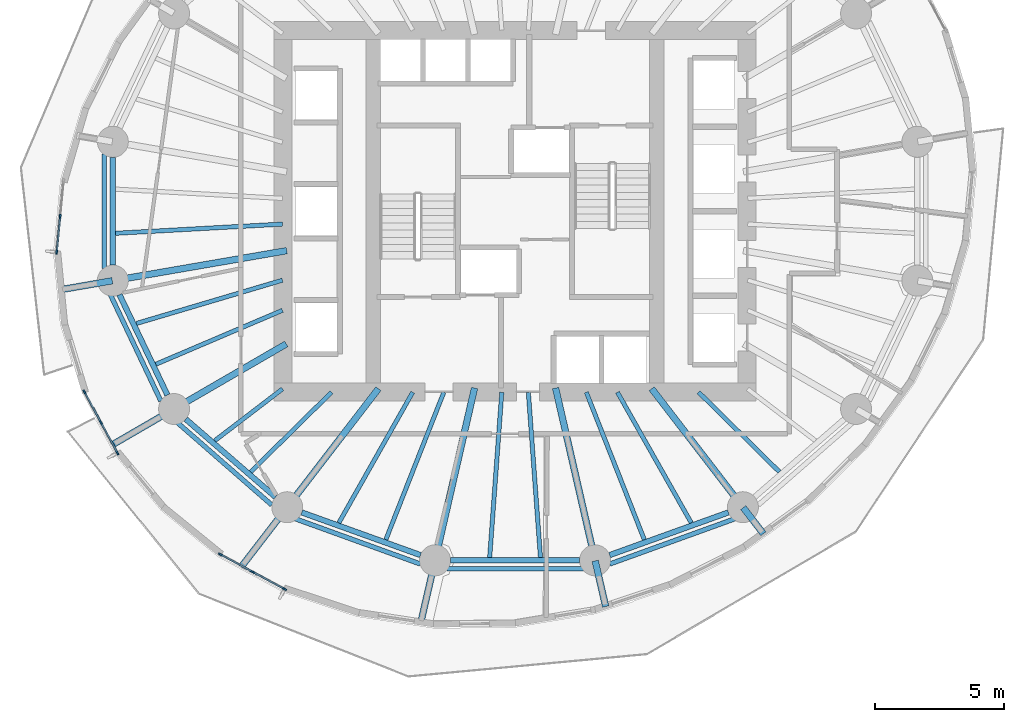
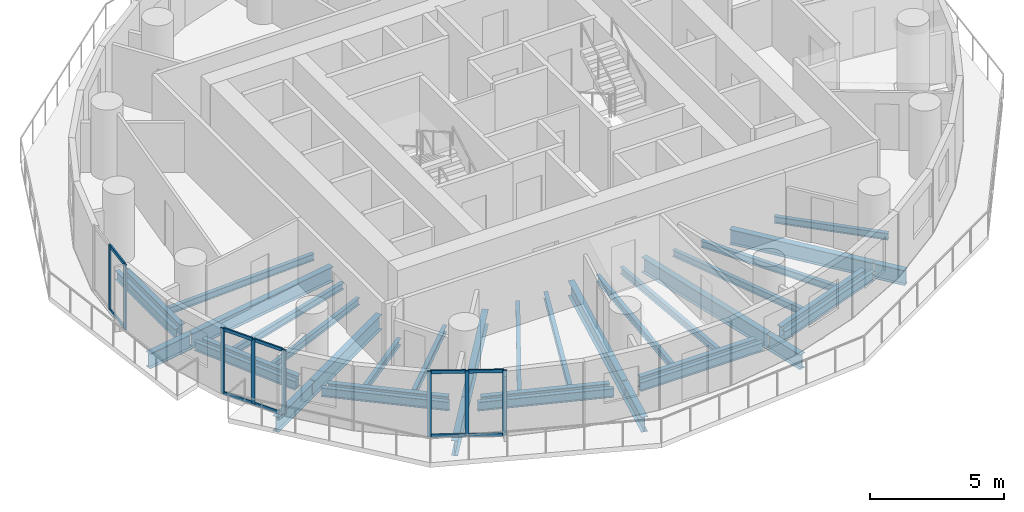
# One storey, part 2 of 14: 36 beams, 18 members, 3 elements without a shape of their own.
"""IFC4 building model written with IfcOpenShell, lengths in metres."""

from ifc_helpers import new_model, si_unit, direction, frame, origin, origin_2d, place, context, subcontext, project, spatial, rectangle, i_section, extrude, material, material_profile, profile_set, type_object, element, aggregate, save


model = new_model("IFC4")

# Units and contexts
model_context = context("Model", 3, precision=1e-05, world=origin(), true_north=direction((0.0, 1.0)))
body_context = subcontext(model_context, "Body", "Model", "MODEL_VIEW")
ifc_project = project(units=[si_unit("LENGTHUNIT", "METRE"), si_unit("AREAUNIT", "SQUARE_METRE"), si_unit("VOLUMEUNIT", "CUBIC_METRE"), si_unit("PLANEANGLEUNIT", "RADIAN"), si_unit("MASSUNIT", "GRAM", prefix="KILO")], contexts=[model_context])

# Site, building, storey
site_placement = place(None, origin())
site = spatial("IfcSite", under=ifc_project, at=site_placement, CompositionType="ELEMENT")
building_placement = place(site_placement, origin())
building = spatial("IfcBuilding", under=site, at=building_placement, Name="Veldorim Arch Residences", CompositionType="ELEMENT")
storey_placement = place(building_placement, frame((0.0, 0.0, 96.47998046875)))
storey = spatial("IfcBuildingStorey", under=building, at=storey_placement, Name="L28", CompositionType="ELEMENT", Elevation=96.47998046875)

# Beams
ifc_material_1 = material(Name="Steel S355", Category="steel")
ifc_material_profile_1 = material_profile(ifc_material_1, i_section(OverallWidth=0.2119140625, OverallDepth=0.54443359375, WebThickness=0.0126953125, FlangeThickness=0.021240234375, at=origin_2d()), Name="UB533x210x122")
ifc_profile_set_1 = profile_set([ifc_material_profile_1], Name="Steel S355")
beam_type_1 = type_object("IfcBeamType", Name="Structural Steel Beam UB533x210x122", PredefinedType="BEAM", material=ifc_profile_set_1)
beam_1_placement = place(storey_placement, frame((16.405517578125, 26.09228515625, -0.51220703125), z_axis=(0.0, -1.0, 0.0), x_axis=(1.0, 0.0, 0.0)))
element("IfcBeam", 1, at=beam_1_placement, inside=storey, type_object=beam_type_1, Name="L28 perimeter ring tie beam 08", PredefinedType="BEAM", context=body_context, shape_type="SweptSolid", body=[
    extrude(i_section(OverallWidth=0.2119140625, OverallDepth=0.54443359375, WebThickness=0.0126953125, FlangeThickness=0.021240234375, at=origin_2d()), origin(), (0.0, 0.0, 1.0), 4.1845703125),
])
beam_2_placement = place(storey_placement, frame((16.663818359375, 20.766357421875, -0.51220703125), z_axis=(0.430720154476, -0.902485539235, 0.0), x_axis=(0.902485539235, 0.430720154476, 0.0)))
element("IfcBeam", 2, at=beam_2_placement, inside=storey, type_object=beam_type_1, Name="L28 perimeter ring tie beam 09", PredefinedType="BEAM", context=body_context, shape_type="SweptSolid", body=[
    extrude(i_section(OverallWidth=0.2119140625, OverallDepth=0.54443359375, WebThickness=0.0126953125, FlangeThickness=0.021240234375, at=origin_2d()), origin(), (0.0, 0.0, 1.0), 4.312255859375),
])
beam_3_placement = place(storey_placement, frame((19.232666015625, 15.939697265625, -0.51220703125), z_axis=(0.755244952556, -0.655442645576, 0.0), x_axis=(0.655442645576, 0.755244952556, 0.0)))
element("IfcBeam", 3, at=beam_3_placement, inside=storey, type_object=beam_type_1, Name="L28 perimeter ring tie beam 10", PredefinedType="BEAM", context=body_context, shape_type="SweptSolid", body=[
    extrude(i_section(OverallWidth=0.2119140625, OverallDepth=0.54443359375, WebThickness=0.0126953125, FlangeThickness=0.021240234375, at=origin_2d()), origin(), (0.0, 0.0, 1.0), 4.608642578125),
])
beam_4_placement = place(storey_placement, frame((23.73095703125, 12.32275390625, -0.51220703125), z_axis=(0.941041944493, -0.338289903343, 0.0), x_axis=(0.338289903343, 0.941041944493, 0.0)))
element("IfcBeam", 4, at=beam_4_placement, inside=storey, type_object=beam_type_1, Name="L28 perimeter ring tie beam 11", PredefinedType="BEAM", context=body_context, shape_type="SweptSolid", body=[
    extrude(i_section(OverallWidth=0.2119140625, OverallDepth=0.54443359375, WebThickness=0.0126953125, FlangeThickness=0.021240234375, at=origin_2d()), origin(), (0.0, 0.0, 1.0), 4.890869140625),
])
beam_5_placement = place(storey_placement, frame((29.498046875, 10.465087890625, -0.51220703125), z_axis=(1.0, 0.0, 0.0), x_axis=(0.0, 1.0, 0.0)))
element("IfcBeam", 5, at=beam_5_placement, inside=storey, type_object=beam_type_1, Name="L28 perimeter ring tie beam 12", PredefinedType="BEAM", context=body_context, shape_type="SweptSolid", body=[
    extrude(i_section(OverallWidth=0.2119140625, OverallDepth=0.54443359375, WebThickness=0.0126953125, FlangeThickness=0.021240234375, at=origin_2d()), origin(), (0.0, 0.0, 1.0), 5.00390625),
])
beam_6_placement = place(storey_placement, frame((35.66650390625, 10.668212890625, -0.51220703125), z_axis=(0.941041944493, 0.338289903343, 0.0), x_axis=(-0.338289903343, 0.941041944493, 0.0)))
element("IfcBeam", 6, at=beam_6_placement, inside=storey, type_object=beam_type_1, Name="L28 perimeter ring tie beam 13", PredefinedType="BEAM", context=body_context, shape_type="SweptSolid", body=[
    extrude(i_section(OverallWidth=0.2119140625, OverallDepth=0.54443359375, WebThickness=0.0126953125, FlangeThickness=0.021240234375, at=origin_2d()), origin(), (0.0, 0.0, 1.0), 4.890869140625),
])
ifc_material_2 = material(Name="Steel S355", Category="steel")
ifc_material_profile_2 = material_profile(ifc_material_2, i_section(OverallWidth=0.25439453125, OverallDepth=0.6875, WebThickness=0.01318359375, FlangeThickness=0.02099609375, at=origin_2d()), Name="UB686x254x152")
ifc_profile_set_2 = profile_set([ifc_material_profile_2], Name="Steel S355")
beam_type_2 = type_object("IfcBeamType", Name="Structural Steel GIRDER UB686x254x152", PredefinedType="USERDEFINED", material=ifc_profile_set_2)
beam_7_placement = place(storey_placement, frame((23.147705078125, 22.4716796875, -0.583740234375), z_axis=(-0.985426622718, -0.17010106184, 0.0), x_axis=(0.17010106184, -0.985426622718, 0.0)))
element("IfcBeam", 7, at=beam_7_placement, inside=storey, type_object=beam_type_2, Name="L28 radial floor girder 09", ObjectType="GIRDER", PredefinedType="USERDEFINED", context=body_context, shape_type="SweptSolid", body=[
    extrude(i_section(OverallWidth=0.25439453125, OverallDepth=0.6875, WebThickness=0.01318359375, FlangeThickness=0.02099609375, at=origin_2d()), origin(), (0.0, 0.0, 1.0), 6.82177734375),
])
beam_8_placement = place(storey_placement, frame((16.3857421875, 21.304443359375, -0.583740234375), z_axis=(-0.985413092061, -0.170179428821, 0.0), x_axis=(0.170179428821, -0.985413092061, 0.0)))
element("IfcBeam", 8, at=beam_8_placement, inside=storey, type_object=beam_type_2, Name="L28 radial edge cantilever girder 09", ObjectType="GIRDER", PredefinedType="USERDEFINED", context=body_context, shape_type="SweptSolid", body=[
    extrude(i_section(OverallWidth=0.25439453125, OverallDepth=0.6875, WebThickness=0.01318359375, FlangeThickness=0.02099609375, at=origin_2d()), origin(), (0.0, 0.0, 1.0), 2.0400390625),
])
beam_9_placement = place(storey_placement, frame((23.1298828125, 18.85595703125, -0.583740234375), z_axis=(-0.865048957682, -0.501687453314, 0.0), x_axis=(0.501687453314, -0.865048957682, 0.0)))
element("IfcBeam", 9, at=beam_9_placement, inside=storey, type_object=beam_type_2, Name="L28 radial floor girder 10", ObjectType="GIRDER", PredefinedType="USERDEFINED", context=body_context, shape_type="SweptSolid", body=[
    extrude(i_section(OverallWidth=0.25439453125, OverallDepth=0.6875, WebThickness=0.01318359375, FlangeThickness=0.02099609375, at=origin_2d()), origin(), (0.0, 0.0, 1.0), 5.009033203125),
])
beam_10_placement = place(storey_placement, frame((18.76220703125, 16.322998046875, -0.583740234375), z_axis=(-0.865074923998, -0.50164267748, 0.0), x_axis=(0.50164267748, -0.865074923998, 0.0)))
element("IfcBeam", 10, at=beam_10_placement, inside=storey, type_object=beam_type_2, Name="L28 radial edge cantilever girder 10", ObjectType="GIRDER", PredefinedType="USERDEFINED", context=body_context, shape_type="SweptSolid", body=[
    extrude(i_section(OverallWidth=0.25439453125, OverallDepth=0.6875, WebThickness=0.01318359375, FlangeThickness=0.02099609375, at=origin_2d()), origin(), (0.0, 0.0, 1.0), 2.713134765625),
])
beam_11_placement = place(storey_placement, frame((26.702392578125, 17.118896484375, -0.583740234375), z_axis=(-0.609994628196, -0.792405548676, 0.0), x_axis=(0.792405548676, -0.609994628196, 0.0)))
element("IfcBeam", 11, at=beam_11_placement, inside=storey, type_object=beam_type_2, Name="L28 radial floor girder 11", ObjectType="GIRDER", PredefinedType="USERDEFINED", context=body_context, shape_type="SweptSolid", body=[
    extrude(i_section(OverallWidth=0.25439453125, OverallDepth=0.6875, WebThickness=0.01318359375, FlangeThickness=0.02099609375, at=origin_2d()), origin(), (0.0, 0.0, 1.0), 5.776611328125),
])
beam_12_placement = place(storey_placement, frame((23.154296875, 12.510009765625, -0.583740234375), z_axis=(-0.610012928727, -0.792391460571, 0.0), x_axis=(0.792391460571, -0.610012928727, 0.0)))
element("IfcBeam", 12, at=beam_12_placement, inside=storey, type_object=beam_type_2, Name="L28 radial edge cantilever girder 11", ObjectType="GIRDER", PredefinedType="USERDEFINED", context=body_context, shape_type="SweptSolid", body=[
    extrude(i_section(OverallWidth=0.25439453125, OverallDepth=0.6875, WebThickness=0.01318359375, FlangeThickness=0.02099609375, at=origin_2d()), origin(), (0.0, 0.0, 1.0), 2.85009765625),
])
beam_13_placement = place(storey_placement, frame((30.42919921875, 17.146240234375, -0.583740234375), z_axis=(-0.223374742148, -0.97473264261, 0.0), x_axis=(0.97473264261, -0.223374742148, 0.0)))
element("IfcBeam", 13, at=beam_13_placement, inside=storey, type_object=beam_type_2, Name="L28 radial floor girder 12", ObjectType="GIRDER", PredefinedType="USERDEFINED", context=body_context, shape_type="SweptSolid", body=[
    extrude(i_section(OverallWidth=0.25439453125, OverallDepth=0.6875, WebThickness=0.01318359375, FlangeThickness=0.02099609375, at=origin_2d()), origin(), (0.0, 0.0, 1.0), 6.834228515625),
])
beam_14_placement = place(storey_placement, frame((28.8935546875, 10.44580078125, -0.583740234375), z_axis=(-0.223409552983, -0.974724664526, 0.0), x_axis=(0.974724664526, -0.223409552983, 0.0)))
element("IfcBeam", 14, at=beam_14_placement, inside=storey, type_object=beam_type_2, Name="L28 radial edge cantilever girder 12", ObjectType="GIRDER", PredefinedType="USERDEFINED", context=body_context, shape_type="SweptSolid", body=[
    extrude(i_section(OverallWidth=0.25439453125, OverallDepth=0.6875, WebThickness=0.01318359375, FlangeThickness=0.02099609375, at=origin_2d()), origin(), (0.0, 0.0, 1.0), 2.4599609375),
])
beam_15_placement = place(storey_placement, frame((33.57080078125, 17.146240234375, -0.583740234375), z_axis=(0.223374742148, -0.97473264261, 0.0), x_axis=(0.97473264261, 0.223374742148, 0.0)))
element("IfcBeam", 15, at=beam_15_placement, inside=storey, type_object=beam_type_2, Name="L28 radial floor girder 13", ObjectType="GIRDER", PredefinedType="USERDEFINED", context=body_context, shape_type="SweptSolid", body=[
    extrude(i_section(OverallWidth=0.25439453125, OverallDepth=0.6875, WebThickness=0.01318359375, FlangeThickness=0.02099609375, at=origin_2d()), origin(), (0.0, 0.0, 1.0), 6.834228515625),
])
beam_16_placement = place(storey_placement, frame((35.1064453125, 10.44580078125, -0.583740234375), z_axis=(0.223360224224, -0.974735969499, 0.0), x_axis=(0.974735969499, 0.223360224224, 0.0)))
element("IfcBeam", 16, at=beam_16_placement, inside=storey, type_object=beam_type_2, Name="L28 radial edge cantilever girder 13", ObjectType="GIRDER", PredefinedType="USERDEFINED", context=body_context, shape_type="SweptSolid", body=[
    extrude(i_section(OverallWidth=0.25439453125, OverallDepth=0.6875, WebThickness=0.01318359375, FlangeThickness=0.02099609375, at=origin_2d()), origin(), (0.0, 0.0, 1.0), 1.81982421875),
])
beam_17_placement = place(storey_placement, frame((37.297607421875, 17.118896484375, -0.583740234375), z_axis=(0.609994628196, -0.792405548676, 0.0), x_axis=(0.792405548676, 0.609994628196, 0.0)))
element("IfcBeam", 17, at=beam_17_placement, inside=storey, type_object=beam_type_2, Name="L28 radial floor girder 14", ObjectType="GIRDER", PredefinedType="USERDEFINED", context=body_context, shape_type="SweptSolid", body=[
    extrude(i_section(OverallWidth=0.25439453125, OverallDepth=0.6875, WebThickness=0.01318359375, FlangeThickness=0.02099609375, at=origin_2d()), origin(), (0.0, 0.0, 1.0), 5.776611328125),
])
beam_18_placement = place(storey_placement, frame((40.845703125, 12.510009765625, -0.583740234375), z_axis=(0.609941382305, -0.79244653457, 0.0), x_axis=(0.79244653457, 0.609941382305, 0.0)))
element("IfcBeam", 18, at=beam_18_placement, inside=storey, type_object=beam_type_2, Name="L28 radial edge cantilever girder 14", ObjectType="GIRDER", PredefinedType="USERDEFINED", context=body_context, shape_type="SweptSolid", body=[
    extrude(i_section(OverallWidth=0.25439453125, OverallDepth=0.6875, WebThickness=0.01318359375, FlangeThickness=0.02099609375, at=origin_2d()), origin(), (0.0, 0.0, 1.0), 1.27880859375),
])
ifc_material_3 = material(Name="Steel S355", Category="steel")
ifc_material_profile_3 = material_profile(ifc_material_3, i_section(OverallWidth=0.165771484375, OverallDepth=0.306640625, WebThickness=0.006591796875, FlangeThickness=0.01171875, at=origin_2d()), Name="UB305x165x46")
ifc_profile_set_3 = profile_set([ifc_material_profile_3], Name="Steel S355")
beam_type_3 = type_object("IfcBeamType", Name="Structural Steel Joist UB305x165x46", PredefinedType="JOIST", material=ifc_profile_set_3)
beam_19_placement = place(storey_placement, frame((22.97998046875, 23.501708984375, -0.393310546875), z_axis=(-0.99847713097, -0.055167190702, 0.0), x_axis=(0.055167190702, -0.99847713097, 0.0)))
element("IfcBeam", 19, at=beam_19_placement, inside=storey, type_object=beam_type_3, Name="L28 secondary radial floor joist 08-2", PredefinedType="JOIST", context=body_context, shape_type="SweptSolid", body=[
    extrude(i_section(OverallWidth=0.165771484375, OverallDepth=0.306640625, WebThickness=0.006591796875, FlangeThickness=0.01171875, at=origin_2d()), origin(), (0.0, 0.0, 1.0), 6.474365234375),
])
beam_20_placement = place(storey_placement, frame((22.980712890625, 21.326416015625, -0.393310546875), z_axis=(-0.958753061488, -0.284240333324, 0.0), x_axis=(0.284240333324, -0.958753061488, 0.0)))
element("IfcBeam", 20, at=beam_20_placement, inside=storey, type_object=beam_type_3, Name="L28 secondary radial floor joist 09-1", PredefinedType="JOIST", context=body_context, shape_type="SweptSolid", body=[
    extrude(i_section(OverallWidth=0.165771484375, OverallDepth=0.306640625, WebThickness=0.006591796875, FlangeThickness=0.01171875, at=origin_2d()), origin(), (0.0, 0.0, 1.0), 5.906005859375),
])
beam_21_placement = place(storey_placement, frame((22.981689453125, 20.158447265625, -0.393310546875), z_axis=(-0.919997395122, -0.391924473552, 0.0), x_axis=(0.391924473552, -0.919997395122, 0.0)))
element("IfcBeam", 21, at=beam_21_placement, inside=storey, type_object=beam_type_3, Name="L28 secondary radial floor joist 09-2", PredefinedType="JOIST", context=body_context, shape_type="SweptSolid", body=[
    extrude(i_section(OverallWidth=0.165771484375, OverallDepth=0.306640625, WebThickness=0.006591796875, FlangeThickness=0.01171875, at=origin_2d()), origin(), (0.0, 0.0, 1.0), 5.334716796875),
])
beam_22_placement = place(storey_placement, frame((22.984130859375, 17.111572265625, -0.393310546875), z_axis=(-0.794594763594, -0.60714014994, 0.0), x_axis=(0.60714014994, -0.794594763594, 0.0)))
element("IfcBeam", 22, at=beam_22_placement, inside=storey, type_object=beam_type_3, Name="L28 secondary radial floor joist 10-1", PredefinedType="JOIST", context=body_context, shape_type="SweptSolid", body=[
    extrude(i_section(OverallWidth=0.165771484375, OverallDepth=0.306640625, WebThickness=0.006591796875, FlangeThickness=0.01171875, at=origin_2d()), origin(), (0.0, 0.0, 1.0), 3.30419921875),
])
beam_23_placement = place(storey_placement, frame((24.885986328125, 16.986083984375, -0.393310546875), z_axis=(-0.712111629941, -0.702066255066, 0.0), x_axis=(0.702066255066, -0.712111629941, 0.0)))
element("IfcBeam", 23, at=beam_23_placement, inside=storey, type_object=beam_type_3, Name="L28 secondary radial floor joist 10-2", PredefinedType="JOIST", context=body_context, shape_type="SweptSolid", body=[
    extrude(i_section(OverallWidth=0.165771484375, OverallDepth=0.306640625, WebThickness=0.006591796875, FlangeThickness=0.01171875, at=origin_2d()), origin(), (0.0, 0.0, 1.0), 4.39892578125),
])
beam_24_placement = place(storey_placement, frame((28.03173828125, 16.982666015625, -0.393310546875), z_axis=(-0.492227411199, -0.870466642476, 0.0), x_axis=(0.870466642476, -0.492227411199, 0.0)))
element("IfcBeam", 24, at=beam_24_placement, inside=storey, type_object=beam_type_3, Name="L28 secondary radial floor joist 11-1", PredefinedType="JOIST", context=body_context, shape_type="SweptSolid", body=[
    extrude(i_section(OverallWidth=0.165771484375, OverallDepth=0.306640625, WebThickness=0.006591796875, FlangeThickness=0.01171875, at=origin_2d()), origin(), (0.0, 0.0, 1.0), 5.81494140625),
])
beam_25_placement = place(storey_placement, frame((29.238037109375, 16.9814453125, -0.393310546875), z_axis=(-0.366194870364, -0.930538186707, 0.0), x_axis=(0.930538186707, -0.366194870364, 0.0)))
element("IfcBeam", 25, at=beam_25_placement, inside=storey, type_object=beam_type_3, Name="L28 secondary radial floor joist 11-2", PredefinedType="JOIST", context=body_context, shape_type="SweptSolid", body=[
    extrude(i_section(OverallWidth=0.165771484375, OverallDepth=0.306640625, WebThickness=0.006591796875, FlangeThickness=0.01171875, at=origin_2d()), origin(), (0.0, 0.0, 1.0), 6.1396484375),
])
for number, where, z_axis, x_axis, name in (
    (26, (31.485107421875, 16.97998046875, -0.393310546875), (-0.073143494169, -0.997321427254, 0.0), (0.997321427254, -0.073143494169, 0.0), "L28 secondary radial floor joist 12-1"),
    (27, (32.514892578125, 16.97998046875, -0.393310546875), (0.073143494169, -0.997321427254, 0.0), (0.997321427254, 0.073143494169, 0.0), "L28 secondary radial floor joist 12-2"),
):
    element("IfcBeam", number, at=place(storey_placement, frame(where, z_axis=z_axis, x_axis=x_axis)), inside=storey, type_object=beam_type_3, Name=name, PredefinedType="JOIST", context=body_context, shape_type="SweptSolid", body=[
        extrude(i_section(OverallWidth=0.165771484375, OverallDepth=0.306640625, WebThickness=0.006591796875, FlangeThickness=0.01171875, at=origin_2d()), origin(), (0.0, 0.0, 1.0), 6.421875),
    ])
beam_26_placement = place(storey_placement, frame((34.761962890625, 16.9814453125, -0.393310546875), z_axis=(0.366194870364, -0.930538186707, 0.0), x_axis=(0.930538186707, 0.366194870364, 0.0)))
element("IfcBeam", 28, at=beam_26_placement, inside=storey, type_object=beam_type_3, Name="L28 secondary radial floor joist 13-1", PredefinedType="JOIST", context=body_context, shape_type="SweptSolid", body=[
    extrude(i_section(OverallWidth=0.165771484375, OverallDepth=0.306640625, WebThickness=0.006591796875, FlangeThickness=0.01171875, at=origin_2d()), origin(), (0.0, 0.0, 1.0), 6.1396484375),
])
beam_27_placement = place(storey_placement, frame((35.96826171875, 16.982666015625, -0.393310546875), z_axis=(0.492227411199, -0.870466642476, 0.0), x_axis=(0.870466642476, 0.492227411199, 0.0)))
element("IfcBeam", 29, at=beam_27_placement, inside=storey, type_object=beam_type_3, Name="L28 secondary radial floor joist 13-2", PredefinedType="JOIST", context=body_context, shape_type="SweptSolid", body=[
    extrude(i_section(OverallWidth=0.165771484375, OverallDepth=0.306640625, WebThickness=0.006591796875, FlangeThickness=0.01171875, at=origin_2d()), origin(), (0.0, 0.0, 1.0), 5.81494140625),
])
beam_28_placement = place(storey_placement, frame((39.114013671875, 16.986083984375, -0.393310546875), z_axis=(0.712111629941, -0.702066255066, 0.0), x_axis=(0.702066255066, 0.712111629941, 0.0)))
element("IfcBeam", 30, at=beam_28_placement, inside=storey, type_object=beam_type_3, Name="L28 secondary radial floor joist 14-1", PredefinedType="JOIST", context=body_context, shape_type="SweptSolid", body=[
    extrude(i_section(OverallWidth=0.165771484375, OverallDepth=0.306640625, WebThickness=0.006591796875, FlangeThickness=0.01171875, at=origin_2d()), origin(), (0.0, 0.0, 1.0), 4.39892578125),
])
ifc_material_4 = material(Name="Steel S355", Category="steel")
ifc_material_profile_4 = material_profile(ifc_material_4, i_section(OverallWidth=0.1787109375, OverallDepth=0.409423828125, WebThickness=0.0087890625, FlangeThickness=0.014404296875, at=origin_2d()), Name="UB406x178x67")
ifc_profile_set_4 = profile_set([ifc_material_profile_4], Name="Steel S355")
beam_type_4 = type_object("IfcBeamType", Name="Structural Steel Spandrel UB406x178x67", PredefinedType="SPANDREL", material=ifc_profile_set_4)
beam_29_placement = place(storey_placement, frame((16.080322265625, 26.22021484375, -0.464599609375), z_axis=(0.0, -1.0, 0.0), x_axis=(1.0, 0.0, 0.0)))
element("IfcBeam", 31, at=beam_29_placement, inside=storey, type_object=beam_type_4, Name="L28 perimeter chord spandrel beam 08", PredefinedType="SPANDREL", context=body_context, shape_type="SweptSolid", body=[
    extrude(i_section(OverallWidth=0.1787109375, OverallDepth=0.409423828125, WebThickness=0.0087890625, FlangeThickness=0.014404296875, at=origin_2d()), origin(), (0.0, 0.0, 1.0), 4.4404296875),
])
beam_30_placement = place(storey_placement, frame((16.306884765625, 20.774658203125, -0.464599609375), z_axis=(0.428857472204, -0.903372165021, 0.0), x_axis=(0.903372165021, 0.428857472204, 0.0)))
element("IfcBeam", 32, at=beam_30_placement, inside=storey, type_object=beam_type_4, Name="L28 perimeter chord spandrel beam 09", PredefinedType="SPANDREL", context=body_context, shape_type="SweptSolid", body=[
    extrude(i_section(OverallWidth=0.1787109375, OverallDepth=0.409423828125, WebThickness=0.0087890625, FlangeThickness=0.014404296875, at=origin_2d()), origin(), (0.0, 0.0, 1.0), 4.572021484375),
])
beam_31_placement = place(storey_placement, frame((18.891845703125, 15.8203125, -0.464599609375), z_axis=(0.753323239074, -0.65765043714, 0.0), x_axis=(0.65765043714, 0.753323239074, 0.0)))
element("IfcBeam", 33, at=beam_31_placement, inside=storey, type_object=beam_type_4, Name="L28 perimeter chord spandrel beam 10", PredefinedType="SPANDREL", context=body_context, shape_type="SweptSolid", body=[
    extrude(i_section(OverallWidth=0.1787109375, OverallDepth=0.409423828125, WebThickness=0.0087890625, FlangeThickness=0.014404296875, at=origin_2d()), origin(), (0.0, 0.0, 1.0), 4.879150390625),
])
beam_32_placement = place(storey_placement, frame((23.461669921875, 12.08447265625, -0.464599609375), z_axis=(0.940307501418, -0.340326024244, 0.0), x_axis=(0.340326024244, 0.940307501418, 0.0)))
element("IfcBeam", 34, at=beam_32_placement, inside=storey, type_object=beam_type_4, Name="L28 perimeter chord spandrel beam 11", PredefinedType="SPANDREL", context=body_context, shape_type="SweptSolid", body=[
    extrude(i_section(OverallWidth=0.1787109375, OverallDepth=0.409423828125, WebThickness=0.0087890625, FlangeThickness=0.014404296875, at=origin_2d()), origin(), (0.0, 0.0, 1.0), 5.175048828125),
])
beam_33_placement = place(storey_placement, frame((29.352294921875, 10.1435546875, -0.464599609375), z_axis=(1.0, 0.0, 0.0), x_axis=(0.0, 1.0, 0.0)))
element("IfcBeam", 35, at=beam_33_placement, inside=storey, type_object=beam_type_4, Name="L28 perimeter chord spandrel beam 12", PredefinedType="SPANDREL", context=body_context, shape_type="SweptSolid", body=[
    extrude(i_section(OverallWidth=0.1787109375, OverallDepth=0.409423828125, WebThickness=0.0087890625, FlangeThickness=0.014404296875, at=origin_2d()), origin(), (0.0, 0.0, 1.0), 5.29541015625),
])
beam_34_placement = place(storey_placement, frame((35.672119140625, 10.3232421875, -0.464599609375), z_axis=(0.940307501418, 0.340326024244, 0.0), x_axis=(-0.340326024244, 0.940307501418, 0.0)))
element("IfcBeam", 36, at=beam_34_placement, inside=storey, type_object=beam_type_4, Name="L28 perimeter chord spandrel beam 13", PredefinedType="SPANDREL", context=body_context, shape_type="SweptSolid", body=[
    extrude(i_section(OverallWidth=0.1787109375, OverallDepth=0.409423828125, WebThickness=0.0087890625, FlangeThickness=0.014404296875, at=origin_2d()), origin(), (0.0, 0.0, 1.0), 5.175048828125),
])

# Curtain wall, members
ifc_material_5 = material(Name="Aluminium", Category="aluminium")
curtain_wall_type = type_object("IfcCurtainWallType", Name="Zone 2 Solar-Control Unitised Curtain Wall", PredefinedType="NOTDEFINED", material=ifc_material_5)
curtain_wall_1_placement = place(storey_placement, origin())
curtain_wall_1 = element("IfcCurtainWall", 37, at=curtain_wall_1_placement, inside=storey, type_object=curtain_wall_type, Name="L28 unitised curtain wall bay 16", PredefinedType="NOTDEFINED")
ifc_material_6 = material(Name="Aluminium", Category="aluminium")
ifc_material_profile_5 = material_profile(ifc_material_6, rectangle(XDim=0.06494140625, YDim=0.1650390625, at=origin_2d()), Name="ALU_MUL_65x165")
ifc_profile_set_5 = profile_set([ifc_material_profile_5], Name="Aluminium")
member_type_1 = type_object("IfcMemberType", Name="Zone 2 Solar-Control Unitised Curtain Wall Mullion 65x165", PredefinedType="MULLION", material=ifc_profile_set_5)
member_1_placement = place(storey_placement, frame((14.229248046875, 22.415283203125, 0.0), z_axis=(0.0, 0.0, 1.0), x_axis=(-0.995292751709, 0.096914077387, 0.0)))
member_1 = element("IfcMember", 38, at=member_1_placement, type_object=member_type_1, Name="CW-Z2 mullion 1", PredefinedType="MULLION", context=body_context, shape_type="SweptSolid", body=[
    extrude(rectangle(XDim=0.06494140625, YDim=0.1650390625, at=origin_2d()), origin(), (0.0, 0.0, 1.0), 2.9599609375),
])
member_2_placement = place(storey_placement, frame((14.36328125, 23.79296875, 0.0), z_axis=(0.0, 0.0, 1.0), x_axis=(-0.995292751709, 0.096914077387, 0.0)))
member_2 = element("IfcMember", 39, at=member_2_placement, type_object=member_type_1, Name="CW-Z2 mullion 2", PredefinedType="MULLION", context=body_context, shape_type="SweptSolid", body=[
    extrude(rectangle(XDim=0.06494140625, YDim=0.1650390625, at=origin_2d()), origin(), (0.0, 0.0, 1.0), 2.9599609375),
])

curtain_wall_2_placement = place(storey_placement, origin())
curtain_wall_2 = element("IfcCurtainWall", 40, at=curtain_wall_2_placement, inside=storey, type_object=curtain_wall_type, Name="L28 unitised curtain wall bay 19", PredefinedType="NOTDEFINED")
member_3_placement = place(storey_placement, frame((16.583984375, 14.62890625, 0.0), z_axis=(0.0, 0.0, 1.0), x_axis=(-0.87936599291, -0.4761464591, 0.0)))
member_3 = element("IfcMember", 41, at=member_3_placement, type_object=member_type_1, Name="CW-Z2 mullion 1", PredefinedType="MULLION", context=body_context, shape_type="SweptSolid", body=[
    extrude(rectangle(XDim=0.06494140625, YDim=0.1650390625, at=origin_2d()), origin(), (0.0, 0.0, 1.0), 2.9599609375),
])
member_4_placement = place(storey_placement, frame((15.943115234375, 15.812744140625, 0.0), z_axis=(0.0, 0.0, 1.0), x_axis=(-0.87936599291, -0.4761464591, 0.0)))
member_4 = element("IfcMember", 42, at=member_4_placement, type_object=member_type_1, Name="CW-Z2 mullion 2", PredefinedType="MULLION", context=body_context, shape_type="SweptSolid", body=[
    extrude(rectangle(XDim=0.06494140625, YDim=0.1650390625, at=origin_2d()), origin(), (0.0, 0.0, 1.0), 2.9599609375),
])
member_5_placement = place(storey_placement, frame((15.302001953125, 16.996826171875, 0.0), z_axis=(0.0, 0.0, 1.0), x_axis=(-0.87936599291, -0.4761464591, 0.0)))
member_5 = element("IfcMember", 43, at=member_5_placement, type_object=member_type_1, Name="CW-Z2 mullion 3", PredefinedType="MULLION", context=body_context, shape_type="SweptSolid", body=[
    extrude(rectangle(XDim=0.06494140625, YDim=0.1650390625, at=origin_2d()), origin(), (0.0, 0.0, 1.0), 2.9599609375),
])

curtain_wall_3_placement = place(storey_placement, origin())
curtain_wall_3 = element("IfcCurtainWall", 44, at=curtain_wall_3_placement, inside=storey, type_object=curtain_wall_type, Name="L28 unitised curtain wall bay 22", PredefinedType="NOTDEFINED")
member_6_placement = place(storey_placement, frame((23.06640625, 9.34814453125, 0.0), z_axis=(0.0, 0.0, 1.0), x_axis=(-0.476096408895, -0.879393091534, 0.0)))
member_6 = element("IfcMember", 45, at=member_6_placement, type_object=member_type_1, Name="CW-Z2 mullion 1", PredefinedType="MULLION", context=body_context, shape_type="SweptSolid", body=[
    extrude(rectangle(XDim=0.06494140625, YDim=0.1650390625, at=origin_2d()), origin(), (0.0, 0.0, 1.0), 2.9599609375),
])
member_7_placement = place(storey_placement, frame((21.820556640625, 10.0224609375, 0.0), z_axis=(0.0, 0.0, 1.0), x_axis=(-0.476096408895, -0.879393091534, 0.0)))
member_7 = element("IfcMember", 46, at=member_7_placement, type_object=member_type_1, Name="CW-Z2 mullion 2", PredefinedType="MULLION", context=body_context, shape_type="SweptSolid", body=[
    extrude(rectangle(XDim=0.06494140625, YDim=0.1650390625, at=origin_2d()), origin(), (0.0, 0.0, 1.0), 2.9599609375),
])
member_8_placement = place(storey_placement, frame((20.57470703125, 10.697021484375, 0.0), z_axis=(0.0, 0.0, 1.0), x_axis=(-0.476096408895, -0.879393091534, 0.0)))
member_8 = element("IfcMember", 47, at=member_8_placement, type_object=member_type_1, Name="CW-Z2 mullion 3", PredefinedType="MULLION", context=body_context, shape_type="SweptSolid", body=[
    extrude(rectangle(XDim=0.06494140625, YDim=0.1650390625, at=origin_2d()), origin(), (0.0, 0.0, 1.0), 2.9599609375),
])

# Member
ifc_material_7 = material(Name="Aluminium", Category="aluminium")
ifc_material_profile_6 = material_profile(ifc_material_7, rectangle(XDim=0.06494140625, YDim=0.14501953125, at=origin_2d()), Name="ALU_TRN_65x145")
ifc_profile_set_6 = profile_set([ifc_material_profile_6], Name="Aluminium")
member_type_2 = type_object("IfcMemberType", Name="Zone 2 Solar-Control Unitised Curtain Wall Transom 65x145", PredefinedType="USERDEFINED", material=ifc_profile_set_6)
member_9_placement = place(storey_placement, frame((14.232177734375, 22.447509765625, 0.032470703125), z_axis=(0.096974768366, 0.995286840213, 0.0), x_axis=(-0.995286840213, 0.096974768366, 0.0)))
member_9 = element("IfcMember", 48, at=member_9_placement, type_object=member_type_2, Name="CW-Z2 transom 1.1", ObjectType="TRANSOM", PredefinedType="USERDEFINED", context=body_context, shape_type="SweptSolid", body=[
    extrude(rectangle(XDim=0.06494140625, YDim=0.14501953125, at=origin_2d()), origin(), (0.0, 0.0, 1.0), 1.319091796875),
])

member_10_placement = place(storey_placement, frame((14.232177734375, 22.447509765625, 2.927490234375), z_axis=(0.096974768366, 0.995286840213, 0.0), x_axis=(-0.995286840213, 0.096974768366, 0.0)))
member_10 = element("IfcMember", 49, at=member_10_placement, type_object=member_type_2, Name="CW-Z2 transom 1.2", ObjectType="TRANSOM", PredefinedType="USERDEFINED", context=body_context, shape_type="SweptSolid", body=[
    extrude(rectangle(XDim=0.06494140625, YDim=0.14501953125, at=origin_2d()), origin(), (0.0, 0.0, 1.0), 1.319091796875),
])

aggregate(curtain_wall_1, [member_1, member_2, member_9, member_10])

member_11_placement = place(storey_placement, frame((16.568603515625, 14.657470703125, 0.032470703125), z_axis=(-0.476166516797, 0.879355132061, 0.0), x_axis=(-0.879355132061, -0.476166516797, 0.0)))
member_11 = element("IfcMember", 50, at=member_11_placement, type_object=member_type_2, Name="CW-Z2 transom 1.1", ObjectType="TRANSOM", PredefinedType="USERDEFINED", context=body_context, shape_type="SweptSolid", body=[
    extrude(rectangle(XDim=0.06494140625, YDim=0.14501953125, at=origin_2d()), origin(), (0.0, 0.0, 1.0), 1.28125),
])

member_12_placement = place(storey_placement, frame((16.568603515625, 14.657470703125, 2.927490234375), z_axis=(-0.476166516797, 0.879355132061, 0.0), x_axis=(-0.879355132061, -0.476166516797, 0.0)))
member_12 = element("IfcMember", 51, at=member_12_placement, type_object=member_type_2, Name="CW-Z2 transom 1.2", ObjectType="TRANSOM", PredefinedType="USERDEFINED", context=body_context, shape_type="SweptSolid", body=[
    extrude(rectangle(XDim=0.06494140625, YDim=0.14501953125, at=origin_2d()), origin(), (0.0, 0.0, 1.0), 1.28125),
])

member_13_placement = place(storey_placement, frame((15.927490234375, 15.84130859375, 0.032470703125), z_axis=(-0.476086744214, 0.879398323846, 0.0), x_axis=(-0.879398323846, -0.476086744214, 0.0)))
member_13 = element("IfcMember", 52, at=member_13_placement, type_object=member_type_2, Name="CW-Z2 transom 2.1", ObjectType="TRANSOM", PredefinedType="USERDEFINED", context=body_context, shape_type="SweptSolid", body=[
    extrude(rectangle(XDim=0.06494140625, YDim=0.14501953125, at=origin_2d()), origin(), (0.0, 0.0, 1.0), 1.281494140625),
])

member_14_placement = place(storey_placement, frame((15.927490234375, 15.84130859375, 2.927490234375), z_axis=(-0.476086744214, 0.879398323846, 0.0), x_axis=(-0.879398323846, -0.476086744214, 0.0)))
member_14 = element("IfcMember", 53, at=member_14_placement, type_object=member_type_2, Name="CW-Z2 transom 2.2", ObjectType="TRANSOM", PredefinedType="USERDEFINED", context=body_context, shape_type="SweptSolid", body=[
    extrude(rectangle(XDim=0.06494140625, YDim=0.14501953125, at=origin_2d()), origin(), (0.0, 0.0, 1.0), 1.281494140625),
])

aggregate(curtain_wall_2, [member_3, member_4, member_5, member_11, member_12, member_13, member_14])

member_15_placement = place(storey_placement, frame((23.037841796875, 9.363525390625, 0.032470703125), z_axis=(-0.879395948535, 0.476091131718, 0.0), x_axis=(-0.476091131718, -0.879395948535, 0.0)))
member_15 = element("IfcMember", 54, at=member_15_placement, type_object=member_type_2, Name="CW-Z2 transom 1.1", ObjectType="TRANSOM", PredefinedType="USERDEFINED", context=body_context, shape_type="SweptSolid", body=[
    extrude(rectangle(XDim=0.06494140625, YDim=0.14501953125, at=origin_2d()), origin(), (0.0, 0.0, 1.0), 1.351806640625),
])

member_16_placement = place(storey_placement, frame((23.037841796875, 9.363525390625, 2.927490234375), z_axis=(-0.879395948535, 0.476091131718, 0.0), x_axis=(-0.476091131718, -0.879395948535, 0.0)))
member_16 = element("IfcMember", 55, at=member_16_placement, type_object=member_type_2, Name="CW-Z2 transom 1.2", ObjectType="TRANSOM", PredefinedType="USERDEFINED", context=body_context, shape_type="SweptSolid", body=[
    extrude(rectangle(XDim=0.06494140625, YDim=0.14501953125, at=origin_2d()), origin(), (0.0, 0.0, 1.0), 1.351806640625),
])

member_17_placement = place(storey_placement, frame((21.7919921875, 10.0380859375, 0.032470703125), z_axis=(-0.879395948535, 0.476091131718, 0.0), x_axis=(-0.476091131718, -0.879395948535, 0.0)))
member_17 = element("IfcMember", 56, at=member_17_placement, type_object=member_type_2, Name="CW-Z2 transom 2.1", ObjectType="TRANSOM", PredefinedType="USERDEFINED", context=body_context, shape_type="SweptSolid", body=[
    extrude(rectangle(XDim=0.06494140625, YDim=0.14501953125, at=origin_2d()), origin(), (0.0, 0.0, 1.0), 1.351806640625),
])

member_18_placement = place(storey_placement, frame((21.7919921875, 10.0380859375, 2.927490234375), z_axis=(-0.879395948535, 0.476091131718, 0.0), x_axis=(-0.476091131718, -0.879395948535, 0.0)))
member_18 = element("IfcMember", 57, at=member_18_placement, type_object=member_type_2, Name="CW-Z2 transom 2.2", ObjectType="TRANSOM", PredefinedType="USERDEFINED", context=body_context, shape_type="SweptSolid", body=[
    extrude(rectangle(XDim=0.06494140625, YDim=0.14501953125, at=origin_2d()), origin(), (0.0, 0.0, 1.0), 1.351806640625),
])

aggregate(curtain_wall_3, [member_6, member_7, member_8, member_15, member_16, member_17, member_18])

save(model, "model.ifc")
